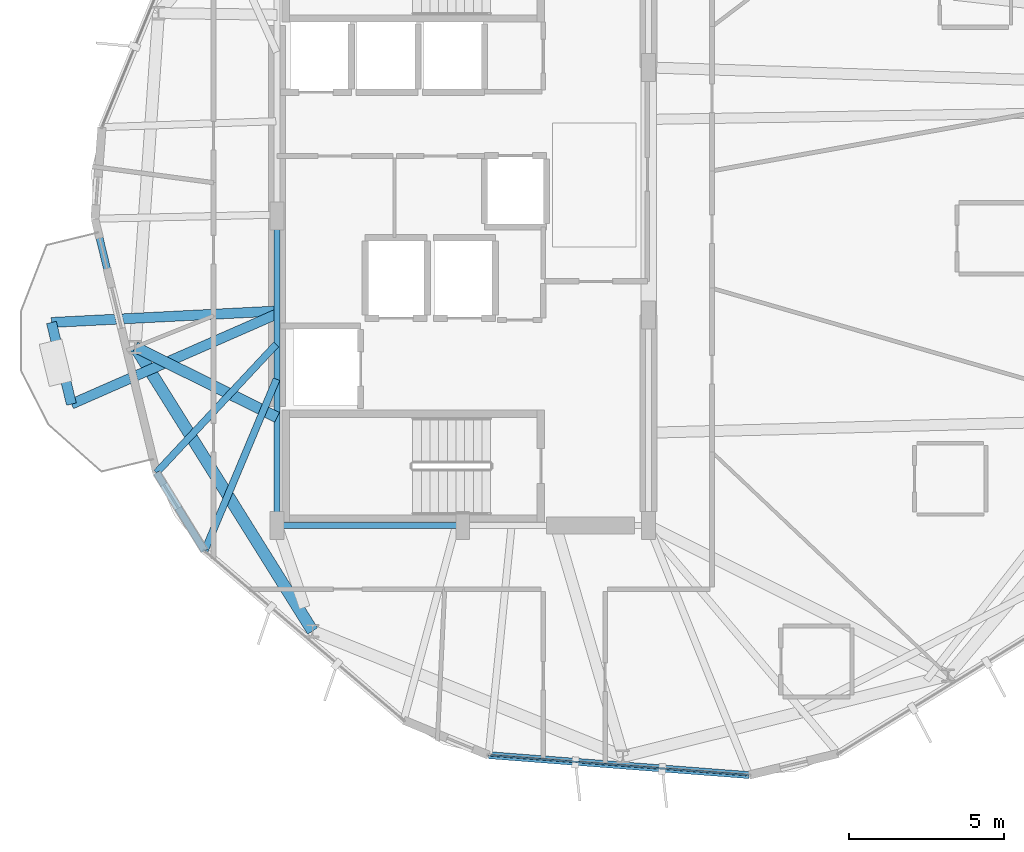
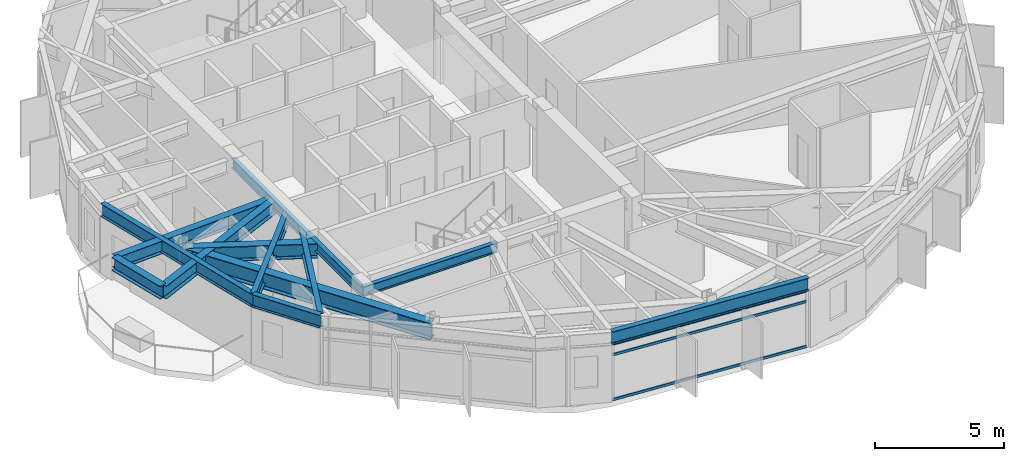
# One storey, part 3 of 21: 12 beams, 3 members, 1 element without a shape of its own.
"""IFC4 building model written with IfcOpenShell, lengths in metres."""

import ifcopenshell
import ifcopenshell.guid

model = None  # the IFC model being written
_history = None  # IfcOwnerHistory: only IFC2X3 demands one
_inside = {}  # id of a spatial element -> (the spatial element, [elements in it])
_under = {}  # id of a project, library or spatial element -> (it, [spatial elements below it])
_declared = {}  # id of a project -> (the project, [libraries it declares])
_typed = {}  # id of a type object -> (the type object, [elements of that type])
_made_of = {}  # id of a material, layer set ... -> (it, [elements and type objects made of it])


def new_model(schema):
    """Start an empty IFC model of exactly this schema.

    Asked for "IFC4X3", IfcOpenShell would pick the latest addendum, in which some entities
    have other attributes; the version numbers below select the first issue.
    IFC2X3 requires an IfcOwnerHistory on every rooted entity: one is made here for all.
    """
    global model, _history
    if schema == "IFC4X3":
        model = ifcopenshell.file(schema_version=(4, 3, 0, 0))
    else:
        model = ifcopenshell.file(schema=schema)
    _inside.clear()
    _under.clear()
    _declared.clear()
    _typed.clear()
    _made_of.clear()
    _history = None
    if model.schema == "IFC2X3":
        org = make("IfcOrganization", Name="unknown")
        user = make(
            "IfcPersonAndOrganization",
            ThePerson=make("IfcPerson", FamilyName="unknown"),
            TheOrganization=org,
        )
        app = make(
            "IfcApplication",
            ApplicationDeveloper=org,
            Version="unknown",
            ApplicationFullName="unknown",
            ApplicationIdentifier="unknown",
        )
        _history = make(
            "IfcOwnerHistory",
            OwningUser=user,
            OwningApplication=app,
            ChangeAction="ADDED",
            CreationDate=0,
        )
    return model


def make(cls, **values):
    """One entity of the class cls with the attributes given. An attribute that is None is left unset."""
    return model.create_entity(
        cls, **{name: value for name, value in values.items() if value is not None}
    )


def rooted(cls, **values):
    """An entity with a GlobalId (a new one), such as an element, a storey or a relation."""
    return make(cls, GlobalId=ifcopenshell.guid.new(), OwnerHistory=_history, **values)


def si_unit(unit_type, name, prefix=None):
    """IfcSIUnit, for example si_unit("LENGTHUNIT", "METRE", prefix="MILLI")."""
    return make("IfcSIUnit", UnitType=unit_type, Prefix=prefix, Name=name)


def assignment(units):
    """IfcUnitAssignment: the units of a project."""
    return None if units is None else make("IfcUnitAssignment", Units=units)


def point(xyz):
    """IfcCartesianPoint."""
    return None if xyz is None else make("IfcCartesianPoint", Coordinates=xyz)


def direction(xyz):
    """IfcDirection."""
    return None if xyz is None else make("IfcDirection", DirectionRatios=xyz)


def frame(location, z_axis=None, x_axis=None):
    """IfcAxis2Placement3D, a coordinate frame: its origin and axes. An axis left out is left unset."""
    return make(
        "IfcAxis2Placement3D",
        Location=point(location),
        Axis=direction(z_axis),
        RefDirection=direction(x_axis),
    )


def frame_2d(location, x_axis=None):
    """IfcAxis2Placement2D, a coordinate frame in the plane: its origin and x axis."""
    return make(
        "IfcAxis2Placement2D", Location=point(location), RefDirection=direction(x_axis)
    )


def origin():
    """The frame at (0, 0, 0) with its axes left unset."""
    return frame((0.0, 0.0, 0.0))


def origin_2d():
    """The frame at (0, 0) in the plane with its x axis left unset."""
    return frame_2d((0.0, 0.0))


def place(relative_to, where):
    """IfcLocalPlacement: puts the frame where relative to a parent placement (None: the world)."""
    return make(
        "IfcLocalPlacement", PlacementRelTo=relative_to, RelativePlacement=where
    )


def context(
    kind, dimensions, precision=None, world=None, true_north=None, identifier=None
):
    """IfcGeometricRepresentationContext, for example the 3D "Model" context."""
    return make(
        "IfcGeometricRepresentationContext",
        ContextIdentifier=identifier,
        ContextType=kind,
        CoordinateSpaceDimension=dimensions,
        Precision=precision,
        WorldCoordinateSystem=world,
        TrueNorth=true_north,
    )


def subcontext(parent, identifier, kind, view, scale=None):
    """IfcGeometricRepresentationSubContext, for example "Body" below "Model"."""
    return make(
        "IfcGeometricRepresentationSubContext",
        ContextIdentifier=identifier,
        ContextType=kind,
        ParentContext=parent,
        TargetScale=scale,
        TargetView=view,
    )


def project(units=None, contexts=None):
    """IfcProject with its units and contexts."""
    return rooted(
        "IfcProject",
        Name="project",
        RepresentationContexts=contexts,
        UnitsInContext=assignment(units),
    )


def spatial(cls, under=None, at=None, **own):
    """A site, building, storey or space (cls), placed at a placement, below another one or the project."""
    s = rooted(cls, ObjectPlacement=at, **own)
    if under is not None:
        _under.setdefault(under.id(), (under, []))[1].append(s)
    return s


def profile(cls, at=None, kind="AREA", **sizes):
    """A parametric profile (cls). Its sizes go by their IFC names, for example OverallWidth=200.0."""
    return make(cls, ProfileType=kind, Position=at, **sizes)


def hollow_rectangle(**sizes):
    """IfcRectangleHollowProfileDef."""
    return profile("IfcRectangleHollowProfileDef", **sizes)


def i_section(**sizes):
    """IfcIShapeProfileDef."""
    return profile("IfcIShapeProfileDef", **sizes)


def extrude(swept, where, along, depth):
    """IfcExtrudedAreaSolid: the profile swept, set in the frame where, extruded along a direction by depth."""
    return make(
        "IfcExtrudedAreaSolid",
        SweptArea=swept,
        Position=where,
        ExtrudedDirection=direction(along),
        Depth=depth,
    )


def shape(context_of_items, identifier, shape_type, items):
    """IfcShapeRepresentation: the items that make up one representation, for example the "Body"."""
    return make(
        "IfcShapeRepresentation",
        ContextOfItems=context_of_items,
        RepresentationIdentifier=identifier,
        RepresentationType=shape_type,
        Items=items,
    )


def material(Name=None, Category=None):
    """IfcMaterial."""
    return make("IfcMaterial", Name=Name, Category=Category)


def layer(
    of_material, thickness, ventilated=None, Name=None, Category=None, Priority=None
):
    """IfcMaterialLayer: one layer of a wall or slab, of a material (None: an air gap)."""
    return make(
        "IfcMaterialLayer",
        Material=of_material,
        LayerThickness=thickness,
        IsVentilated=ventilated,
        Name=Name,
        Category=Category,
        Priority=Priority,
    )


def layer_set(layers, Name=None):
    """IfcMaterialLayerSet."""
    return make("IfcMaterialLayerSet", MaterialLayers=layers, LayerSetName=Name)


def material_profile(
    of_material, cross_section, Name=None, Category=None, Priority=None
):
    """IfcMaterialProfile: a cross section and its material."""
    return make(
        "IfcMaterialProfile",
        Name=Name,
        Material=of_material,
        Profile=cross_section,
        Priority=Priority,
        Category=Category,
    )


def profile_set(profiles, Name=None, composite=None):
    """IfcMaterialProfileSet."""
    return make(
        "IfcMaterialProfileSet",
        Name=Name,
        MaterialProfiles=profiles,
        CompositeProfile=composite,
    )


def made_of(thing, what):
    """Note that an element or type object is made of a material, layer set ...; save() writes the relation."""
    if what is not None:
        _made_of.setdefault(what.id(), (what, []))[1].append(thing)
    return thing


def type_object(cls, material=None, **own):
    """A type object (cls), such as IfcWallType, which elements share."""
    return made_of(rooted(cls, **own), material)


def element(
    cls,
    number,
    at=None,
    inside=None,
    cuts=None,
    type_object=None,
    material=None,
    context=None,
    identifier="Body",
    shape_type=None,
    held_by="IfcProductDefinitionShape",
    body=None,
    shapes=None,
    **own,
):
    """One element of the class cls, such as IfcWall. Its Tag is "e" and its number.

    at: its placement. inside: the storey or other place that contains it. cuts: it is an
    opening in that element (IfcRelVoidsElement). A single representation is given by context,
    identifier, shape_type and body (its items); several are given by shapes. held_by: the class
    of the entity that holds the representations. save() writes the other relations.
    """
    e = rooted(cls, Tag="e%d" % number, ObjectPlacement=at, **own)
    if body is not None:
        shapes = [shape(context, identifier, shape_type, body)]
    if shapes is not None:
        e.Representation = make(held_by, Representations=shapes)
    if inside is not None:
        _inside.setdefault(inside.id(), (inside, []))[1].append(e)
    if cuts is not None:
        rooted(
            "IfcRelVoidsElement", RelatingBuildingElement=cuts, RelatedOpeningElement=e
        )
    if type_object is not None:
        _typed.setdefault(type_object.id(), (type_object, []))[1].append(e)
    return made_of(e, material)


def aggregate(whole, parts):
    """IfcRelAggregates: a whole, such as a stair, and the parts it consists of."""
    return rooted("IfcRelAggregates", RelatingObject=whole, RelatedObjects=parts)


def save(model, path):
    """Write the relations noted so far, then the file.

    IfcRelAggregates (storeys below a building ...), IfcRelContainedInSpatialStructure (elements
    in a storey), IfcRelDefinesByType, IfcRelAssociatesMaterial and IfcRelDeclares: one each for
    every whole, place, type object, material and project.
    """
    for whole, parts in _under.values():
        aggregate(whole, parts)
    for where, things in _inside.values():
        rooted(
            "IfcRelContainedInSpatialStructure",
            RelatedElements=things,
            RelatingStructure=where,
        )
    for kind, things in _typed.values():
        rooted("IfcRelDefinesByType", RelatedObjects=things, RelatingType=kind)
    for what, things in _made_of.values():
        rooted("IfcRelAssociatesMaterial", RelatedObjects=things, RelatingMaterial=what)
    for by, libraries in _declared.values():
        rooted("IfcRelDeclares", RelatingContext=by, RelatedDefinitions=libraries)
    model.write(path)


model = new_model("IFC4")

# Units and contexts
model_context = context("Model", 3, precision=1e-05, world=origin(), true_north=direction((0.0, 1.0)))
body_context = subcontext(model_context, "Body", "Model", "MODEL_VIEW")
ifc_project = project(units=[si_unit("LENGTHUNIT", "METRE"), si_unit("AREAUNIT", "SQUARE_METRE"), si_unit("VOLUMEUNIT", "CUBIC_METRE"), si_unit("PLANEANGLEUNIT", "RADIAN"), si_unit("MASSUNIT", "GRAM", prefix="KILO")], contexts=[model_context])

# Site, building, storey
site_placement = place(None, origin())
site = spatial("IfcSite", under=ifc_project, at=site_placement, CompositionType="ELEMENT")
building_placement = place(site_placement, origin())
building = spatial("IfcBuilding", under=site, at=building_placement, Name="Soratama Intermodal Tower", CompositionType="ELEMENT")
storey_placement = place(building_placement, frame((0.0, 0.0, 149.800048828125)))
storey = spatial("IfcBuildingStorey", under=building, at=storey_placement, Name="L36", CompositionType="ELEMENT", Elevation=149.800048828125)

# Beams
ifc_material_1 = material(Name="Structural steel ASTM A992 Grade 50", Category="steel")
ifc_material_profile_1 = material_profile(ifc_material_1, i_section(OverallWidth=0.324951171875, OverallDepth=0.615966796875, WebThickness=0.013916015625, FlangeThickness=0.021484375, FilletRadius=0.013916015625, at=origin_2d()), Name="W24X117")
ifc_profile_set_1 = profile_set([ifc_material_profile_1], Name="Structural steel ASTM A992 Grade 50")
beam_type_1 = type_object("IfcBeamType", Name="BM-CANT-W24X117", PredefinedType="BEAM", material=ifc_profile_set_1)
beam_1_placement = place(storey_placement, frame((25.31298828125, 21.56201171875, 2.991943359375), z_axis=(0.238703307797, -0.971092544945, 0.0), x_axis=(0.971092544945, 0.238703307797, 0.0)))
element("IfcBeam", 1, at=beam_1_placement, inside=storey, type_object=beam_type_1, Name="BM-L36-CBHDR-3", PredefinedType="BEAM", context=body_context, shape_type="SweptSolid", body=[
    extrude(i_section(OverallWidth=0.324951171875, OverallDepth=0.615966796875, WebThickness=0.013916015625, FlangeThickness=0.021484375, FilletRadius=0.013916015625, at=origin_2d()), origin(), (0.0, 0.0, 1.0), 2.71435546875),
])
beam_2_placement = place(storey_placement, frame((32.56005859375, 21.929931640625, 2.991943359375), z_axis=(-0.998713786272, -0.050702791939, 0.0), x_axis=(0.050702791939, -0.998713786272, 0.0)))
element("IfcBeam", 2, at=beam_2_placement, inside=storey, type_object=beam_type_1, Name="BM-L36-CANT-3-1", PredefinedType="BEAM", context=body_context, shape_type="SweptSolid", body=[
    extrude(i_section(OverallWidth=0.324951171875, OverallDepth=0.615966796875, WebThickness=0.013916015625, FlangeThickness=0.021484375, FilletRadius=0.013916015625, at=origin_2d()), origin(), (0.0, 0.0, 1.0), 7.25634765625),
])
beam_3_placement = place(storey_placement, frame((32.56298828125, 21.822998046875, 2.991943359375), z_axis=(-0.915720015304, -0.401816940374, 0.0), x_axis=(0.401816940374, -0.915720015304, 0.0)))
element("IfcBeam", 3, at=beam_3_placement, inside=storey, type_object=beam_type_1, Name="BM-L36-CANT-3-2", PredefinedType="BEAM", context=body_context, shape_type="SweptSolid", body=[
    extrude(i_section(OverallWidth=0.324951171875, OverallDepth=0.615966796875, WebThickness=0.013916015625, FlangeThickness=0.021484375, FilletRadius=0.013916015625, at=origin_2d()), origin(), (0.0, 0.0, 1.0), 7.209716796875),
])
ifc_material_2 = material(Name="Structural steel ASTM A992 Grade 50", Category="steel")
ifc_material_profile_2 = material_profile(ifc_material_2, i_section(OverallWidth=0.19091796875, OverallDepth=0.4599609375, WebThickness=0.010009765625, FlangeThickness=0.01611328125, FilletRadius=0.010986328125, at=origin_2d()), Name="W18X55")
ifc_profile_set_2 = profile_set([ifc_material_profile_2], Name="Structural steel ASTM A992 Grade 50")
beam_type_2 = type_object("IfcBeamType", Name="BM-FLR-W18X55", PredefinedType="BEAM", material=ifc_profile_set_2)
beam_4_placement = place(storey_placement, frame((32.60009765625, 15.0, 3.070068359375), z_axis=(1.0, 0.0, 0.0), x_axis=(0.0, 1.0, 0.0)))
element("IfcBeam", 4, at=beam_4_placement, inside=storey, type_object=beam_type_2, Name="BM-L36-CRING-01", PredefinedType="BEAM", context=body_context, shape_type="SweptSolid", body=[
    extrude(i_section(OverallWidth=0.19091796875, OverallDepth=0.4599609375, WebThickness=0.010009765625, FlangeThickness=0.01611328125, FilletRadius=0.010986328125, at=origin_2d()), origin(), (0.0, 0.0, 1.0), 6.0),
])
beam_5_placement = place(storey_placement, frame((32.60009765625, 25.0, 3.070068359375), z_axis=(0.0, -1.0, 0.0), x_axis=(1.0, 0.0, 0.0)))
element("IfcBeam", 5, at=beam_5_placement, inside=storey, type_object=beam_type_2, Name="BM-L36-CRING-09", PredefinedType="BEAM", context=body_context, shape_type="SweptSolid", body=[
    extrude(i_section(OverallWidth=0.19091796875, OverallDepth=0.4599609375, WebThickness=0.010009765625, FlangeThickness=0.01611328125, FilletRadius=0.010986328125, at=origin_2d()), origin(), (0.0, 0.0, 1.0), 10.0),
])
ifc_material_3 = material(Name="Structural steel ASTM A992 Grade 50", Category="steel")
ifc_material_profile_3 = material_profile(ifc_material_3, i_section(OverallWidth=0.35498046875, OverallDepth=0.695068359375, WebThickness=0.015380859375, FlangeThickness=0.02490234375, FilletRadius=0.01611328125, at=origin_2d()), Name="W27X146")
ifc_profile_set_3 = profile_set([ifc_material_profile_3], Name="Structural steel ASTM A992 Grade 50")
beam_type_3 = type_object("IfcBeamType", Name="BM-RING-W27X146", PredefinedType="BEAM", material=ifc_profile_set_3)
beam_6_placement = place(storey_placement, frame((32.60009765625, 18.5, 2.952392578125), z_axis=(-0.89629219718, 0.443463975172, 0.0), x_axis=(-0.443463975172, -0.89629219718, 0.0)))
element("IfcBeam", 6, at=beam_6_placement, inside=storey, type_object=beam_type_3, Name="BM-L36-RAD-06", PredefinedType="BEAM", context=body_context, shape_type="SweptSolid", body=[
    extrude(i_section(OverallWidth=0.35498046875, OverallDepth=0.695068359375, WebThickness=0.015380859375, FlangeThickness=0.02490234375, FilletRadius=0.01611328125, at=origin_2d()), origin(), (0.0, 0.0, 1.0), 5.110107421875),
])
ifc_material_4 = material(Name="Structural steel ASTM A992 Grade 50", Category="steel")
ifc_material_profile_4 = material_profile(ifc_material_4, i_section(OverallWidth=0.382080078125, OverallDepth=0.779052734375, WebThickness=0.01806640625, FlangeThickness=0.030029296875, FilletRadius=0.01806640625, at=origin_2d()), Name="W30X191")
ifc_profile_set_4 = profile_set([ifc_material_profile_4], Name="Structural steel ASTM A992 Grade 50")
beam_type_4 = type_object("IfcBeamType", Name="BM-RING-W30X191", PredefinedType="BEAM", material=ifc_profile_set_4)
beam_7_placement = place(storey_placement, frame((28.02001953125, 20.76611328125, 2.910400390625), z_axis=(0.529891394359, -0.84806551055, 0.0), x_axis=(0.84806551055, 0.529891394359, 0.0)))
element("IfcBeam", 7, at=beam_7_placement, inside=storey, type_object=beam_type_4, Name="BM-L36-RING-06", PredefinedType="BEAM", context=body_context, shape_type="SweptSolid", body=[
    extrude(i_section(OverallWidth=0.382080078125, OverallDepth=0.779052734375, WebThickness=0.01806640625, FlangeThickness=0.030029296875, FilletRadius=0.01806640625, at=origin_2d()), origin(), (0.0, 0.0, 1.0), 10.8154296875),
])
ifc_material_5 = material(Name="Structural steel ASTM A992 Grade 50", Category="steel")
ifc_material_profile_5 = material_profile(ifc_material_5, i_section(OverallWidth=0.22900390625, OverallDepth=0.612060546875, WebThickness=0.011962890625, FlangeThickness=0.01953125, FilletRadius=0.012939453125, at=origin_2d()), Name="W24X84")
ifc_profile_set_5 = profile_set([ifc_material_profile_5], Name="Structural steel ASTM A992 Grade 50")
beam_type_5 = type_object("IfcBeamType", Name="BM-SPN-W24X84", PredefinedType="SPANDREL", material=ifc_profile_set_5)
beam_8_placement = place(storey_placement, frame((26.718017578125, 24.9130859375, 2.993896484375), z_axis=(0.235532969172, -0.971866359348, 0.0), x_axis=(0.971866359348, 0.235532969172, 0.0)))
element("IfcBeam", 8, at=beam_8_placement, inside=storey, type_object=beam_type_5, Name="BS-L36-F05", PredefinedType="SPANDREL", context=body_context, shape_type="SweptSolid", body=[
    extrude(i_section(OverallWidth=0.22900390625, OverallDepth=0.612060546875, WebThickness=0.011962890625, FlangeThickness=0.01953125, FilletRadius=0.012939453125, at=origin_2d()), origin(), (0.0, 0.0, 1.0), 8.440673828125),
])
beam_9_placement = place(storey_placement, frame((28.7060546875, 16.7099609375, 2.993896484375), z_axis=(0.524230598501, -0.851576349833, 0.0), x_axis=(0.851576349833, 0.524230598501, 0.0)))
element("IfcBeam", 9, at=beam_9_placement, inside=storey, type_object=beam_type_5, Name="BS-L36-CRN05", PredefinedType="SPANDREL", context=body_context, shape_type="SweptSolid", body=[
    extrude(i_section(OverallWidth=0.22900390625, OverallDepth=0.612060546875, WebThickness=0.011962890625, FlangeThickness=0.01953125, FilletRadius=0.012939453125, at=origin_2d()), origin(), (0.0, 0.0, 1.0), 2.966064453125),
])
beam_10_placement = place(storey_placement, frame((39.43408203125, 7.5859375, 2.993896484375), z_axis=(0.997075208757, -0.076426618937, 0.0), x_axis=(0.076426618937, 0.997075208757, 0.0)))
element("IfcBeam", 10, at=beam_10_placement, inside=storey, type_object=beam_type_5, Name="BS-L36-F07", PredefinedType="SPANDREL", context=body_context, shape_type="SweptSolid", body=[
    extrude(i_section(OverallWidth=0.22900390625, OverallDepth=0.612060546875, WebThickness=0.011962890625, FlangeThickness=0.01953125, FilletRadius=0.012939453125, at=origin_2d()), origin(), (0.0, 0.0, 1.0), 8.439697265625),
])
ifc_material_6 = material(Name="Structural steel ASTM A992 Grade 50", Category="steel")
ifc_material_profile_6 = material_profile(ifc_material_6, i_section(OverallWidth=0.22900390625, OverallDepth=0.612060546875, WebThickness=0.011962890625, FlangeThickness=0.01953125, FilletRadius=0.012939453125, at=origin_2d()), Name="W24X84")
ifc_profile_set_6 = profile_set([ifc_material_profile_6], Name="Structural steel ASTM A992 Grade 50")
beam_type_6 = type_object("IfcBeamType", Name="BM-TIE-W24X84", PredefinedType="BEAM", material=ifc_profile_set_6)
beam_11_placement = place(storey_placement, frame((32.572998046875, 20.85205078125, 2.993896484375), z_axis=(-0.68241188399, -0.730967865634, 0.0), x_axis=(0.730967865634, -0.68241188399, 0.0)))
element("IfcBeam", 11, at=beam_11_placement, inside=storey, type_object=beam_type_6, Name="BM-L36-TIE1-05", PredefinedType="BEAM", context=body_context, shape_type="SweptSolid", body=[
    extrude(i_section(OverallWidth=0.22900390625, OverallDepth=0.612060546875, WebThickness=0.011962890625, FlangeThickness=0.01953125, FilletRadius=0.012939453125, at=origin_2d()), origin(), (0.0, 0.0, 1.0), 5.66650390625),
])
beam_12_placement = place(storey_placement, frame((32.5849609375, 19.73095703125, 2.993896484375), z_axis=(-0.386424850658, -0.922320895781, 0.0), x_axis=(0.922320895781, -0.386424850658, 0.0)))
element("IfcBeam", 12, at=beam_12_placement, inside=storey, type_object=beam_type_6, Name="BM-L36-TIE0-06", PredefinedType="BEAM", context=body_context, shape_type="SweptSolid", body=[
    extrude(i_section(OverallWidth=0.22900390625, OverallDepth=0.612060546875, WebThickness=0.011962890625, FlangeThickness=0.01953125, FilletRadius=0.012939453125, at=origin_2d()), origin(), (0.0, 0.0, 1.0), 6.01416015625),
])

# Curtain wall, members
ifc_material_7 = material(Name="Double-glazed aluminium curtain wall", Category="aluminium")
ifc_layer = layer(ifc_material_7, 0.159912109375)
ifc_layer_set = layer_set([ifc_layer], Name="Double-glazed aluminium curtain wall")
curtain_wall_type = type_object("IfcCurtainWallType", Name="CW-SYS-4", PredefinedType="NOTDEFINED", material=ifc_layer_set)
curtain_wall_placement = place(storey_placement, origin())
curtain_wall = element("IfcCurtainWall", 13, at=curtain_wall_placement, inside=storey, type_object=curtain_wall_type, Name="L36 Faceted Curtain Wall F07", PredefinedType="NOTDEFINED")
ifc_material_8 = material(Name="Anodised aluminium AA 6063-T6", Category="aluminium")
ifc_material_profile_7 = material_profile(ifc_material_8, hollow_rectangle(XDim=0.06005859375, YDim=0.1298828125, WallThickness=0.0048828125, InnerFilletRadius=0.0048828125, OuterFilletRadius=0.010009765625, at=origin_2d()), Name="CWT130X60X5")
ifc_profile_set_7 = profile_set([ifc_material_profile_7], Name="Anodised aluminium AA 6063-T6")
member_type = type_object("IfcMemberType", Name="TT-CWT-2", PredefinedType="USERDEFINED", material=ifc_profile_set_7)
member_1_placement = place(storey_placement, frame((39.493408203125, 7.581298828125, 0.030029296875), z_axis=(0.997078943999, -0.076377872671, 0.0), x_axis=(0.076377872671, 0.997078943999, 0.0)))
member_1 = element("IfcMember", 14, at=member_1_placement, type_object=member_type, Name="CW-4 transom 1.1", ObjectType="TRANSOM", PredefinedType="USERDEFINED", context=body_context, shape_type="SweptSolid", body=[
    extrude(hollow_rectangle(XDim=0.06005859375, YDim=0.1298828125, WallThickness=0.0048828125, InnerFilletRadius=0.0048828125, OuterFilletRadius=0.010009765625, at=origin_2d()), origin(), (0.0, 0.0, 1.0), 8.320556640625),
])
member_2_placement = place(storey_placement, frame((39.493408203125, 7.581298828125, 2.14990234375), z_axis=(0.997078943999, -0.076377872671, 0.0), x_axis=(0.076377872671, 0.997078943999, 0.0)))
member_2 = element("IfcMember", 15, at=member_2_placement, type_object=member_type, Name="CW-4 transom 1.2", ObjectType="TRANSOM", PredefinedType="USERDEFINED", context=body_context, shape_type="SweptSolid", body=[
    extrude(hollow_rectangle(XDim=0.06005859375, YDim=0.1298828125, WallThickness=0.0048828125, InnerFilletRadius=0.0048828125, OuterFilletRadius=0.010009765625, at=origin_2d()), origin(), (0.0, 0.0, 1.0), 8.320556640625),
])
member_3_placement = place(storey_placement, frame((39.493408203125, 7.581298828125, 2.64892578125), z_axis=(0.997078943999, -0.076377872671, 0.0), x_axis=(0.076377872671, 0.997078943999, 0.0)))
member_3 = element("IfcMember", 16, at=member_3_placement, type_object=member_type, Name="CW-4 transom 1.3", ObjectType="TRANSOM", PredefinedType="USERDEFINED", context=body_context, shape_type="SweptSolid", body=[
    extrude(hollow_rectangle(XDim=0.06005859375, YDim=0.1298828125, WallThickness=0.0048828125, InnerFilletRadius=0.0048828125, OuterFilletRadius=0.010009765625, at=origin_2d()), origin(), (0.0, 0.0, 1.0), 8.320556640625),
])
aggregate(curtain_wall, [member_1, member_2, member_3])

save(model, "model.ifc")
